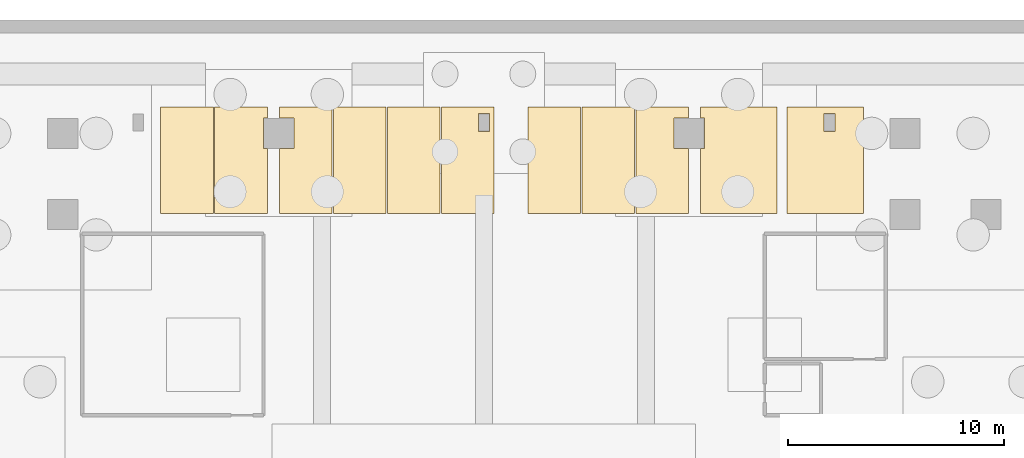
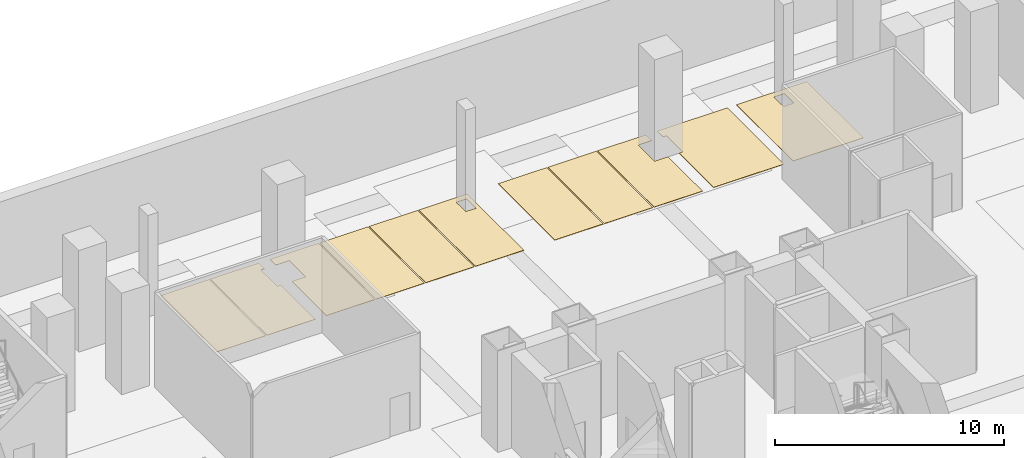
# One storey, part 13 of 16: 11 coverings.
"""IFC4 building model written with IfcOpenShell, lengths in metres."""

from ifc_helpers import new_model, si_unit, direction, frame, origin, place, context, subcontext, project, spatial, polyline, outline, extrude, material, layer, layer_set, type_object, element, save


model = new_model("IFC4")

# Units and contexts
model_context = context("Model", 3, precision=1e-05, world=origin(), true_north=direction((0.0, 1.0)))
body_context = subcontext(model_context, "Body", "Model", "MODEL_VIEW")
ifc_project = project(units=[si_unit("LENGTHUNIT", "METRE"), si_unit("AREAUNIT", "SQUARE_METRE"), si_unit("VOLUMEUNIT", "CUBIC_METRE"), si_unit("PLANEANGLEUNIT", "RADIAN"), si_unit("MASSUNIT", "GRAM", prefix="KILO")], contexts=[model_context])

# Site, building, storey
site_placement = place(None, origin())
site = spatial("IfcSite", under=ifc_project, at=site_placement, CompositionType="ELEMENT")
building_placement = place(site_placement, origin())
building = spatial("IfcBuilding", under=site, at=building_placement, Name="Trevonay Congress Spire", CompositionType="ELEMENT")
storey_placement = place(building_placement, frame((0.0, 0.0, -10.800048828125)))
storey = spatial("IfcBuildingStorey", under=building, at=storey_placement, Name="B2", CompositionType="ELEMENT", Elevation=-10.800048828125)

# Coverings
ifc_material = material(Name="Polished Granite Floor Tile", Category="masonry")
ifc_layer = layer(ifc_material, 0.02001953125, Name="Polished Granite Floor Tile")
ifc_layer_set = layer_set([ifc_layer], Name="Polished Granite Floor Tile")
covering_type = type_object("IfcCoveringType", Name="COV-FLOOR-STONE", PredefinedType="FLOORING", material=ifc_layer_set)
covering_1_placement = place(storey_placement, origin())
element("IfcCovering", 1, at=covering_1_placement, inside=storey, type_object=covering_type, Name="B2 Standard Parking Bay PK-12 floor finish", PredefinedType="FLOORING", context=body_context, shape_type="SweptSolid", body=[
    extrude(outline(polyline([(-14.969970703125, 19.530029296875), (-12.530029296875, 19.530029296875), (-12.530029296875, 24.469970703125), (-14.969970703125, 24.469970703125), (-14.969970703125, 19.530029296875)])), origin(), (0.0, 0.0, 1.0), 0.02001953125),
])
covering_2_placement = place(storey_placement, origin())
element("IfcCovering", 2, at=covering_2_placement, inside=storey, type_object=covering_type, Name="B2 Standard Parking Bay PK-13 floor finish", PredefinedType="FLOORING", context=body_context, shape_type="SweptSolid", body=[
    extrude(outline(polyline([(-10.030029296875, 19.530029296875), (-12.469970703125, 19.530029296875), (-12.469970703125, 24.469970703125), (-10.030029296875, 24.469970703125), (-10.030029296875, 23.9599609375), (-10.2099609375, 23.9599609375), (-10.2099609375, 22.5400390625), (-10.030029296875, 22.5400390625), (-10.030029296875, 19.530029296875)])), origin(), (0.0, 0.0, 1.0), 0.02001953125),
])
covering_3_placement = place(storey_placement, origin())
element("IfcCovering", 3, at=covering_3_placement, inside=storey, type_object=covering_type, Name="B2 Standard Parking Bay PK-14 floor finish", PredefinedType="FLOORING", context=body_context, shape_type="SweptSolid", body=[
    extrude(outline(polyline([(-9.469970703125, 24.469970703125), (-7.030029296875, 24.469970703125), (-7.030029296875, 19.530029296875), (-9.469970703125, 19.530029296875), (-9.469970703125, 22.5400390625), (-8.7900390625, 22.5400390625), (-8.7900390625, 23.9599609375), (-9.469970703125, 23.9599609375), (-9.469970703125, 24.469970703125)])), origin(), (0.0, 0.0, 1.0), 0.02001953125),
])
covering_4_placement = place(storey_placement, origin())
element("IfcCovering", 4, at=covering_4_placement, inside=storey, type_object=covering_type, Name="B2 Standard Parking Bay PK-15 floor finish", PredefinedType="FLOORING", context=body_context, shape_type="SweptSolid", body=[
    extrude(outline(polyline([(-6.969970703125, 19.530029296875), (-4.530029296875, 19.530029296875), (-4.530029296875, 24.469970703125), (-6.969970703125, 24.469970703125), (-6.969970703125, 19.530029296875)])), origin(), (0.0, 0.0, 1.0), 0.02001953125),
])
covering_5_placement = place(storey_placement, origin())
element("IfcCovering", 5, at=covering_5_placement, inside=storey, type_object=covering_type, Name="B2 Standard Parking Bay PK-16 floor finish", PredefinedType="FLOORING", context=body_context, shape_type="SweptSolid", body=[
    extrude(outline(polyline([(-4.469970703125, 19.530029296875), (-2.030029296875, 19.530029296875), (-2.030029296875, 24.469970703125), (-4.469970703125, 24.469970703125), (-4.469970703125, 19.530029296875)])), origin(), (0.0, 0.0, 1.0), 0.02001953125),
])
covering_6_placement = place(storey_placement, origin())
element("IfcCovering", 6, at=covering_6_placement, inside=storey, type_object=covering_type, Name="B2 Standard Parking Bay PK-17 floor finish", PredefinedType="FLOORING", context=body_context, shape_type="SweptSolid", body=[
    extrude(outline(polyline([(-1.969970703125, 24.469970703125), (0.469970703125, 24.469970703125), (0.469970703125, 19.530029296875), (-1.969970703125, 19.530029296875), (-1.969970703125, 24.469970703125)]), holes=[polyline([(0.260009765625, 23.340087890625), (0.260009765625, 24.159912109375), (-0.260009765625, 24.159912109375), (-0.260009765625, 23.340087890625), (0.260009765625, 23.340087890625)])]), origin(), (0.0, 0.0, 1.0), 0.02001953125),
])
covering_7_placement = place(storey_placement, origin())
element("IfcCovering", 7, at=covering_7_placement, inside=storey, type_object=covering_type, Name="B2 Standard Parking Bay PK-18 floor finish", PredefinedType="FLOORING", context=body_context, shape_type="SweptSolid", body=[
    extrude(outline(polyline([(2.030029296875, 19.530029296875), (4.469970703125, 19.530029296875), (4.469970703125, 24.469970703125), (2.030029296875, 24.469970703125), (2.030029296875, 19.530029296875)])), origin(), (0.0, 0.0, 1.0), 0.02001953125),
])
covering_8_placement = place(storey_placement, origin())
element("IfcCovering", 8, at=covering_8_placement, inside=storey, type_object=covering_type, Name="B2 Standard Parking Bay PK-19 floor finish", PredefinedType="FLOORING", context=body_context, shape_type="SweptSolid", body=[
    extrude(outline(polyline([(4.530029296875, 19.530029296875), (6.969970703125, 19.530029296875), (6.969970703125, 24.469970703125), (4.530029296875, 24.469970703125), (4.530029296875, 19.530029296875)])), origin(), (0.0, 0.0, 1.0), 0.02001953125),
])
covering_9_placement = place(storey_placement, origin())
element("IfcCovering", 9, at=covering_9_placement, inside=storey, type_object=covering_type, Name="B2 Standard Parking Bay PK-20 floor finish", PredefinedType="FLOORING", context=body_context, shape_type="SweptSolid", body=[
    extrude(outline(polyline([(9.469970703125, 19.530029296875), (7.030029296875, 19.530029296875), (7.030029296875, 24.469970703125), (9.469970703125, 24.469970703125), (9.469970703125, 23.9599609375), (8.7900390625, 23.9599609375), (8.7900390625, 22.5400390625), (9.469970703125, 22.5400390625), (9.469970703125, 19.530029296875)])), origin(), (0.0, 0.0, 1.0), 0.02001953125),
])
covering_10_placement = place(storey_placement, origin())
element("IfcCovering", 10, at=covering_10_placement, inside=storey, type_object=covering_type, Name="B2 Accessible Parking Bay PK-21 floor finish", PredefinedType="FLOORING", context=body_context, shape_type="SweptSolid", body=[
    extrude(outline(polyline([(10.030029296875, 24.469970703125), (13.570068359375, 24.469970703125), (13.570068359375, 19.530029296875), (10.030029296875, 19.530029296875), (10.030029296875, 22.5400390625), (10.2099609375, 22.5400390625), (10.2099609375, 23.9599609375), (10.030029296875, 23.9599609375), (10.030029296875, 24.469970703125)])), origin(), (0.0, 0.0, 1.0), 0.02001953125),
])
covering_11_placement = place(storey_placement, origin())
element("IfcCovering", 11, at=covering_11_placement, inside=storey, type_object=covering_type, Name="B2 Accessible Parking Bay PK-22 floor finish", PredefinedType="FLOORING", context=body_context, shape_type="SweptSolid", body=[
    extrude(outline(polyline([(14.030029296875, 24.469970703125), (17.570068359375, 24.469970703125), (17.570068359375, 19.530029296875), (14.030029296875, 19.530029296875), (14.030029296875, 24.469970703125)]), holes=[polyline([(16.260009765625, 23.340087890625), (16.260009765625, 24.159912109375), (15.739990234375, 24.159912109375), (15.739990234375, 23.340087890625), (16.260009765625, 23.340087890625)])]), origin(), (0.0, 0.0, 1.0), 0.02001953125),
])

save(model, "model.ifc")
